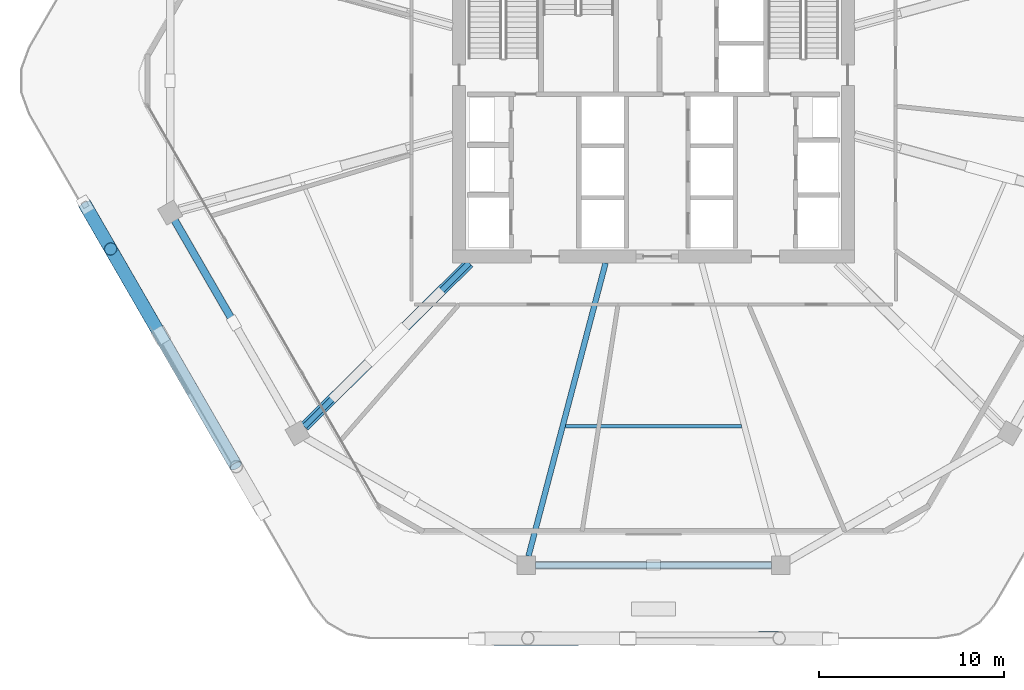
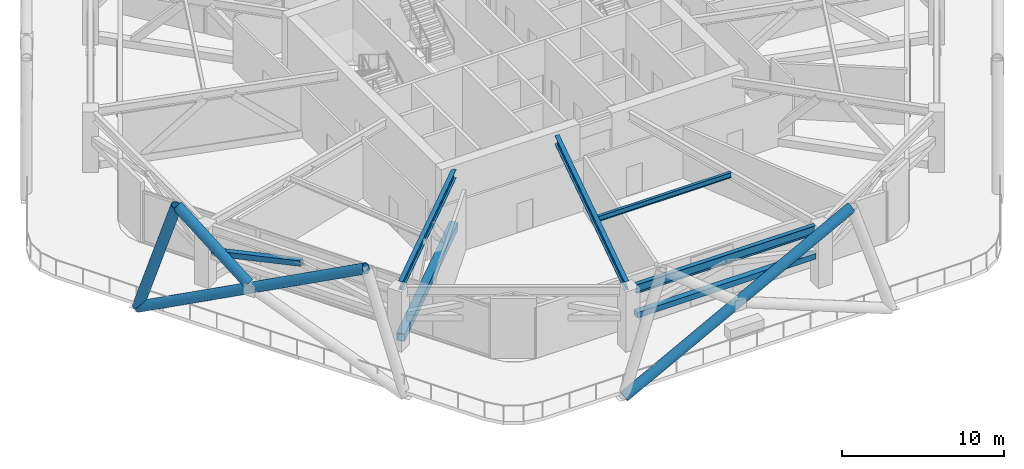
# One storey, part 3 of 20: 7 members, 4 beams.
"""IFC4 building model written with IfcOpenShell, lengths in metres."""

from ifc_helpers import new_model, si_unit, direction, frame, origin, origin_2d, place, context, subcontext, project, spatial, hollow_rectangle, hollow_circle, i_section, extrude, material, material_profile, profile_set, type_object, element, save


model = new_model("IFC4")

# Units and contexts
model_context = context("Model", 3, precision=1e-05, world=origin(), true_north=direction((0.0, 1.0)))
body_context = subcontext(model_context, "Body", "Model", "MODEL_VIEW")
ifc_project = project(units=[si_unit("LENGTHUNIT", "METRE"), si_unit("AREAUNIT", "SQUARE_METRE"), si_unit("VOLUMEUNIT", "CUBIC_METRE"), si_unit("PLANEANGLEUNIT", "RADIAN"), si_unit("MASSUNIT", "GRAM", prefix="KILO")], contexts=[model_context])

# Site, building, storey
site_placement = place(None, origin())
site = spatial("IfcSite", under=ifc_project, at=site_placement, CompositionType="ELEMENT")
building_placement = place(site_placement, origin())
building = spatial("IfcBuilding", under=site, at=building_placement, Name="Zuhravey Tower", CompositionType="ELEMENT")
storey_placement = place(building_placement, frame((0.0, 0.0, 145.60009765625)))
storey = spatial("IfcBuildingStorey", under=building, at=storey_placement, Name="L36", CompositionType="ELEMENT", Elevation=145.60009765625)

# Members
ifc_material_1 = material(Name="Steel SM355", Category="steel")
ifc_material_profile_1 = material_profile(ifc_material_1, hollow_rectangle(XDim=0.419921875, YDim=0.419921875, WallThickness=0.028076171875, at=origin_2d()), Name="RHS-420x420x28")
ifc_profile_set_1 = profile_set([ifc_material_profile_1], Name="Steel SM355")
member_type_1 = type_object("IfcMemberType", Name="Belt Truss Chord RHS420x420", PredefinedType="CHORD", material=ifc_profile_set_1)
member_1_placement = place(storey_placement, frame((29.623046875, 5.826904296875, 2.27001953125), z_axis=(1.0, 0.0, 0.0), x_axis=(0.0, 1.0, 0.0)))
element("IfcMember", 1, at=member_1_placement, inside=storey, type_object=member_type_1, Name="L36 Belt Truss Bottom Chord BTC1-08", PredefinedType="CHORD", context=body_context, shape_type="SweptSolid", body=[
    extrude(hollow_rectangle(XDim=0.419921875, YDim=0.419921875, WallThickness=0.028076171875, at=origin_2d()), origin(), (0.0, 0.0, 1.0), 12.75390625),
])
ifc_material_profile_2 = material_profile(ifc_material_1, hollow_rectangle(XDim=0.39990234375, YDim=0.39990234375, WallThickness=0.02490234375, at=origin_2d()), Name="RHS-400x400x25")
ifc_profile_set_2 = profile_set([ifc_material_profile_2], Name="Steel SM355")
member_type_2 = type_object("IfcMemberType", Name="Belt Truss Diagonal RHS400x400", PredefinedType="BRACE", material=ifc_profile_set_2)
member_2_placement = place(storey_placement, frame((10.152099609375, 24.423583984375, 2.4931640625), z_axis=(0.487733697304, -0.844751307024, 0.220252286696), x_axis=(0.866018166656, 0.500012534865, 0.0)))
element("IfcMember", 2, at=member_2_placement, inside=storey, type_object=member_type_2, Name="L36 Belt Truss Diagonal BTD1-06.1", PredefinedType="BRACE", context=body_context, shape_type="SweptSolid", body=[
    extrude(hollow_rectangle(XDim=0.39990234375, YDim=0.39990234375, WallThickness=0.02490234375, at=origin_2d()), origin(), (0.0, 0.0, 1.0), 6.497802734375),
])
ifc_material_2 = material(Name="Steel SM460", Category="steel")
ifc_material_profile_3 = material_profile(ifc_material_2, hollow_circle(Radius=0.355712890625, WallThickness=0.031982421875, at=origin_2d()), Name="CHS-711.2x32")
ifc_profile_set_3 = profile_set([ifc_material_profile_3], Name="Steel SM460")
member_type_3 = type_object("IfcMemberType", Name="Exoskeleton Zone 2 Diagrid CHS711x32", PredefinedType="BRACE", material=ifc_profile_set_3)
member_3_placement = place(storey_placement, frame((5.294189453125, 25.2978515625, -0.47412109375), z_axis=(0.153010881853, -0.265029458489, 0.952022613265), x_axis=(0.866030989016, 0.499990325971, 0.0)))
element("IfcMember", 3, at=member_3_placement, inside=storey, type_object=member_type_3, Name="L36 Face 4 Diagrid Brace 1", PredefinedType="BRACE", context=body_context, shape_type="SweptSolid", body=[
    extrude(hollow_circle(Radius=0.355712890625, WallThickness=0.031982421875, at=origin_2d()), origin(), (0.0, 0.0, 1.0), 9.02294921875),
])
member_4_placement = place(storey_placement, frame((5.309814453125, 25.2705078125, -0.47412109375), z_axis=(0.442110118764, -0.76573387605, 0.467108417774), x_axis=(0.866018812387, 0.500011416462, 0.0)))
element("IfcMember", 4, at=member_4_placement, inside=storey, type_object=member_type_3, Name="L36 Face 4 Diagrid Brace 2", PredefinedType="BRACE", context=body_context, shape_type="SweptSolid", body=[
    extrude(hollow_circle(Radius=0.355712890625, WallThickness=0.031982421875, at=origin_2d()), origin(), (0.0, 0.0, 1.0), 18.389892578125),
])
member_5_placement = place(storey_placement, frame((9.239990234375, 18.463134765625, 4.03662109375), z_axis=(-0.390411720871, 0.676264254723, 0.624696202959), x_axis=(-0.86604183321, -0.49997154232, 0.0)))
element("IfcMember", 5, at=member_5_placement, inside=storey, type_object=member_type_3, Name="L36 Face 4 Split Diagrid Brace 3B", PredefinedType="BRACE", context=body_context, shape_type="SweptSolid", body=[
    extrude(hollow_circle(Radius=0.355712890625, WallThickness=0.031982421875, at=origin_2d()), origin(), (0.0, 0.0, 1.0), 6.519287109375),
])
member_6_placement = place(storey_placement, frame((26.48291015625, 1.846923828125, -0.47412109375), z_axis=(0.884197500619, 0.001619652489, 0.467110433009), x_axis=(-0.00183177375, 0.999998322301, 0.0)))
element("IfcMember", 6, at=member_6_placement, inside=storey, type_object=member_type_3, Name="L36 Face 5 Diagrid Brace 2", PredefinedType="BRACE", context=body_context, shape_type="SweptSolid", body=[
    extrude(hollow_circle(Radius=0.355712890625, WallThickness=0.031982421875, at=origin_2d()), origin(), (0.0, 0.0, 1.0), 18.389892578125),
])
ifc_material_profile_4 = material_profile(ifc_material_2, hollow_rectangle(XDim=0.550048828125, YDim=0.550048828125, WallThickness=0.034912109375, at=origin_2d()), Name="RHS-550x550x35")
ifc_profile_set_4 = profile_set([ifc_material_profile_4], Name="Steel SM460")
member_type_4 = type_object("IfcMemberType", Name="Outrigger Truss Chord RHS550x550", PredefinedType="CHORD", material=ifc_profile_set_4)
member_7_placement = place(storey_placement, frame((26.05078125, 22.1435546875, 0.31982421875), z_axis=(-0.710400137377, -0.703798014216, 0.0), x_axis=(0.703798014216, -0.710400137377, 0.0)))
element("IfcMember", 7, at=member_7_placement, inside=storey, type_object=member_type_4, Name="L36 Outrigger Bottom Chord OTC1-06", PredefinedType="CHORD", context=body_context, shape_type="SweptSolid", body=[
    extrude(hollow_rectangle(XDim=0.550048828125, YDim=0.550048828125, WallThickness=0.034912109375, at=origin_2d()), origin(), (0.0, 0.0, 1.0), 12.535888671875),
])

# Beams
ifc_material_profile_5 = material_profile(ifc_material_1, i_section(OverallWidth=0.300048828125, OverallDepth=0.679931640625, WebThickness=0.012939453125, FlangeThickness=0.02197265625, at=origin_2d()), Name="H-680x300x13x22")
ifc_profile_set_5 = profile_set([ifc_material_profile_5], Name="Steel SM355")
beam_type_1 = type_object("IfcBeamType", Name="Perimeter Ring Beam H680x300", PredefinedType="BEAM", material=ifc_profile_set_5)
beam_1_placement = place(storey_placement, frame((29.62109375, 5.826904296875, 4.2099609375), z_axis=(1.0, 0.0, 0.0), x_axis=(0.0, 1.0, 0.0)))
element("IfcBeam", 8, at=beam_1_placement, inside=storey, type_object=beam_type_1, Name="L36 PB2 BM-L36-PB-09", PredefinedType="BEAM", context=body_context, shape_type="SweptSolid", body=[
    extrude(i_section(OverallWidth=0.300048828125, OverallDepth=0.679931640625, WebThickness=0.012939453125, FlangeThickness=0.02197265625, at=origin_2d()), origin(), (0.0, 0.0, 1.0), 12.7578125),
])
ifc_material_profile_6 = material_profile(ifc_material_1, i_section(OverallWidth=0.300048828125, OverallDepth=0.64990234375, WebThickness=0.012939453125, FlangeThickness=0.02197265625, at=origin_2d()), Name="H-650x300x13x22")
ifc_profile_set_6 = profile_set([ifc_material_profile_6], Name="Steel SM355")
beam_type_2 = type_object("IfcBeamType", Name="Radial Primary Girder H650x300", PredefinedType="BEAM", material=ifc_profile_set_6)
beam_2_placement = place(storey_placement, frame((26.054443359375, 22.14697265625, 4.224853515625), z_axis=(-0.71040353357, -0.703794586148, 0.0), x_axis=(0.703794586148, -0.71040353357, 0.0)))
element("IfcBeam", 9, at=beam_2_placement, inside=storey, type_object=beam_type_2, Name="L36 RG2 BM-L36-RAD-08", PredefinedType="BEAM", context=body_context, shape_type="SweptSolid", body=[
    extrude(i_section(OverallWidth=0.300048828125, OverallDepth=0.64990234375, WebThickness=0.012939453125, FlangeThickness=0.02197265625, at=origin_2d()), origin(), (0.0, 0.0, 1.0), 12.559814453125),
])
beam_3_placement = place(storey_placement, frame((33.4091796875, 22.14697265625, 4.224853515625), z_axis=(-0.254300244998, -0.967125320418, 0.0), x_axis=(0.967125320418, -0.254300244998, 0.0)))
element("IfcBeam", 10, at=beam_3_placement, inside=storey, type_object=beam_type_2, Name="L36 RG2 BM-L36-RAD-09", PredefinedType="BEAM", context=body_context, shape_type="SweptSolid", body=[
    extrude(i_section(OverallWidth=0.300048828125, OverallDepth=0.64990234375, WebThickness=0.012939453125, FlangeThickness=0.02197265625, at=origin_2d()), origin(), (0.0, 0.0, 1.0), 16.371826171875),
])
ifc_material_profile_7 = material_profile(ifc_material_1, i_section(OverallWidth=0.199951171875, OverallDepth=0.39990234375, WebThickness=0.008056640625, FlangeThickness=0.012939453125, at=origin_2d()), Name="H-400x200x8x13")
ifc_profile_set_7 = profile_set([ifc_material_profile_7], Name="Steel SM355")
beam_type_3 = type_object("IfcBeamType", Name="Secondary Floor Joist H400x200", PredefinedType="JOIST", material=ifc_profile_set_7)
beam_4_placement = place(storey_placement, frame((31.245849609375, 13.334228515625, 4.349853515625), z_axis=(1.0, 0.0, 0.0), x_axis=(0.0, 1.0, 0.0)))
element("IfcBeam", 11, at=beam_4_placement, inside=storey, type_object=beam_type_3, Name="L36 SJ2 BM-L36-SJ-09-1", PredefinedType="JOIST", context=body_context, shape_type="SweptSolid", body=[
    extrude(i_section(OverallWidth=0.199951171875, OverallDepth=0.39990234375, WebThickness=0.008056640625, FlangeThickness=0.012939453125, at=origin_2d()), origin(), (0.0, 0.0, 1.0), 9.50830078125),
])

save(model, "model.ifc")
